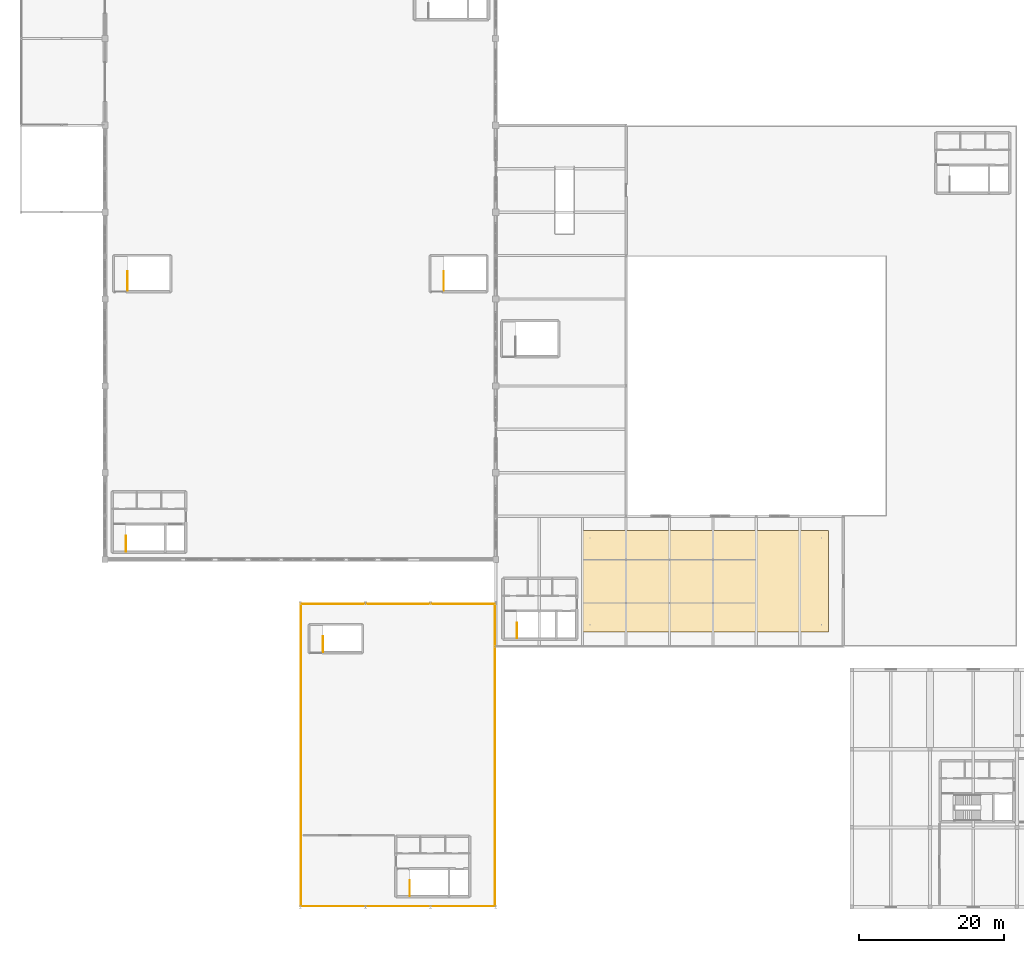
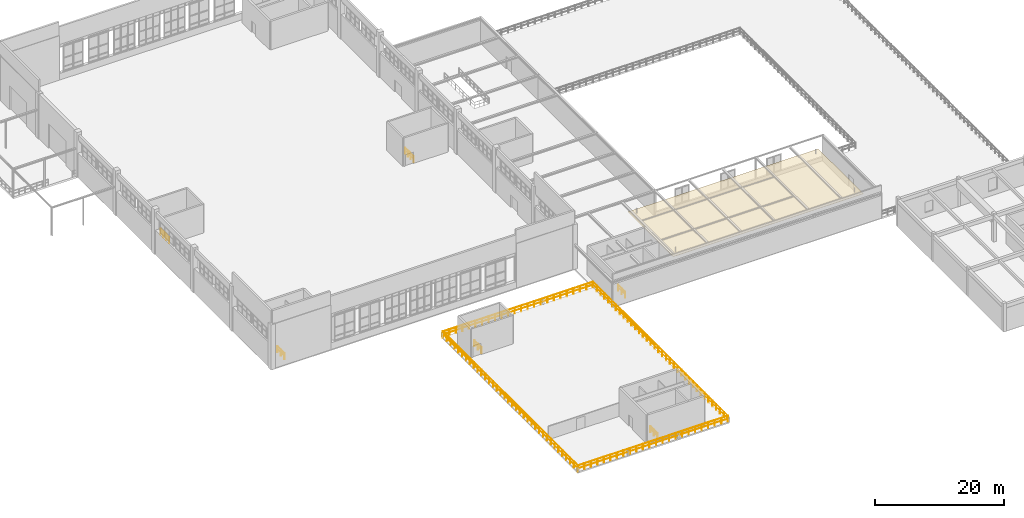
# One storey, part 92 of 97: 8 railings, 1 covering.
"""IFC4 building model written with IfcOpenShell, lengths in metres."""

import ifcopenshell
import ifcopenshell.guid

model = None  # the IFC model being written
_history = None  # IfcOwnerHistory: only IFC2X3 demands one
_inside = {}  # id of a spatial element -> (the spatial element, [elements in it])
_under = {}  # id of a project, library or spatial element -> (it, [spatial elements below it])
_declared = {}  # id of a project -> (the project, [libraries it declares])
_typed = {}  # id of a type object -> (the type object, [elements of that type])
_made_of = {}  # id of a material, layer set ... -> (it, [elements and type objects made of it])


def new_model(schema):
    """Start an empty IFC model of exactly this schema.

    Asked for "IFC4X3", IfcOpenShell would pick the latest addendum, in which some entities
    have other attributes; the version numbers below select the first issue.
    IFC2X3 requires an IfcOwnerHistory on every rooted entity: one is made here for all.
    """
    global model, _history
    if schema == "IFC4X3":
        model = ifcopenshell.file(schema_version=(4, 3, 0, 0))
    else:
        model = ifcopenshell.file(schema=schema)
    _inside.clear()
    _under.clear()
    _declared.clear()
    _typed.clear()
    _made_of.clear()
    _history = None
    if model.schema == "IFC2X3":
        org = make("IfcOrganization", Name="unknown")
        user = make(
            "IfcPersonAndOrganization",
            ThePerson=make("IfcPerson", FamilyName="unknown"),
            TheOrganization=org,
        )
        app = make(
            "IfcApplication",
            ApplicationDeveloper=org,
            Version="unknown",
            ApplicationFullName="unknown",
            ApplicationIdentifier="unknown",
        )
        _history = make(
            "IfcOwnerHistory",
            OwningUser=user,
            OwningApplication=app,
            ChangeAction="ADDED",
            CreationDate=0,
        )
    return model


def make(cls, **values):
    """One entity of the class cls with the attributes given. An attribute that is None is left unset."""
    return model.create_entity(
        cls, **{name: value for name, value in values.items() if value is not None}
    )


def rooted(cls, **values):
    """An entity with a GlobalId (a new one), such as an element, a storey or a relation."""
    return make(cls, GlobalId=ifcopenshell.guid.new(), OwnerHistory=_history, **values)


def si_unit(unit_type, name, prefix=None):
    """IfcSIUnit, for example si_unit("LENGTHUNIT", "METRE", prefix="MILLI")."""
    return make("IfcSIUnit", UnitType=unit_type, Prefix=prefix, Name=name)


def derived_unit(unit_type, elements):
    """IfcDerivedUnit: a product of units, each with its exponent."""
    return make(
        "IfcDerivedUnit",
        Elements=[
            make("IfcDerivedUnitElement", Unit=unit, Exponent=power)
            for unit, power in elements
        ],
        UnitType=unit_type,
    )


def assignment(units):
    """IfcUnitAssignment: the units of a project."""
    return None if units is None else make("IfcUnitAssignment", Units=units)


def point(xyz):
    """IfcCartesianPoint."""
    return None if xyz is None else make("IfcCartesianPoint", Coordinates=xyz)


def direction(xyz):
    """IfcDirection."""
    return None if xyz is None else make("IfcDirection", DirectionRatios=xyz)


def frame(location, z_axis=None, x_axis=None):
    """IfcAxis2Placement3D, a coordinate frame: its origin and axes. An axis left out is left unset."""
    return make(
        "IfcAxis2Placement3D",
        Location=point(location),
        Axis=direction(z_axis),
        RefDirection=direction(x_axis),
    )


def frame_2d(location, x_axis=None):
    """IfcAxis2Placement2D, a coordinate frame in the plane: its origin and x axis."""
    return make(
        "IfcAxis2Placement2D", Location=point(location), RefDirection=direction(x_axis)
    )


def origin():
    """The frame at (0, 0, 0) with its axes left unset."""
    return frame((0.0, 0.0, 0.0))


def origin_2d():
    """The frame at (0, 0) in the plane with its x axis left unset."""
    return frame_2d((0.0, 0.0))


def place(relative_to, where):
    """IfcLocalPlacement: puts the frame where relative to a parent placement (None: the world)."""
    return make(
        "IfcLocalPlacement", PlacementRelTo=relative_to, RelativePlacement=where
    )


def context(
    kind, dimensions, precision=None, world=None, true_north=None, identifier=None
):
    """IfcGeometricRepresentationContext, for example the 3D "Model" context."""
    return make(
        "IfcGeometricRepresentationContext",
        ContextIdentifier=identifier,
        ContextType=kind,
        CoordinateSpaceDimension=dimensions,
        Precision=precision,
        WorldCoordinateSystem=world,
        TrueNorth=true_north,
    )


def subcontext(parent, identifier, kind, view, scale=None):
    """IfcGeometricRepresentationSubContext, for example "Body" below "Model"."""
    return make(
        "IfcGeometricRepresentationSubContext",
        ContextIdentifier=identifier,
        ContextType=kind,
        ParentContext=parent,
        TargetScale=scale,
        TargetView=view,
    )


def project(units=None, contexts=None):
    """IfcProject with its units and contexts."""
    return rooted(
        "IfcProject",
        Name="project",
        RepresentationContexts=contexts,
        UnitsInContext=assignment(units),
    )


def spatial(cls, under=None, at=None, **own):
    """A site, building, storey or space (cls), placed at a placement, below another one or the project."""
    s = rooted(cls, ObjectPlacement=at, **own)
    if under is not None:
        _under.setdefault(under.id(), (under, []))[1].append(s)
    return s


def polyline(points):
    """IfcPolyline through the points."""
    return make("IfcPolyline", Points=[point(p) for p in points])


def profile(cls, at=None, kind="AREA", **sizes):
    """A parametric profile (cls). Its sizes go by their IFC names, for example OverallWidth=200.0."""
    return make(cls, ProfileType=kind, Position=at, **sizes)


def circle(**sizes):
    """IfcCircleProfileDef."""
    return profile("IfcCircleProfileDef", **sizes)


def outline(outer, holes=None, kind="AREA"):
    """IfcArbitraryClosedProfileDef: a profile drawn as a closed curve; with holes, ...WithVoids."""
    if holes is None:
        return make("IfcArbitraryClosedProfileDef", ProfileType=kind, OuterCurve=outer)
    return make(
        "IfcArbitraryProfileDefWithVoids",
        ProfileType=kind,
        OuterCurve=outer,
        InnerCurves=holes,
    )


def extrude(swept, where, along, depth):
    """IfcExtrudedAreaSolid: the profile swept, set in the frame where, extruded along a direction by depth."""
    return make(
        "IfcExtrudedAreaSolid",
        SweptArea=swept,
        Position=where,
        ExtrudedDirection=direction(along),
        Depth=depth,
    )


def shape(context_of_items, identifier, shape_type, items):
    """IfcShapeRepresentation: the items that make up one representation, for example the "Body"."""
    return make(
        "IfcShapeRepresentation",
        ContextOfItems=context_of_items,
        RepresentationIdentifier=identifier,
        RepresentationType=shape_type,
        Items=items,
    )


def material(Name=None, Category=None):
    """IfcMaterial."""
    return make("IfcMaterial", Name=Name, Category=Category)


def layer(
    of_material, thickness, ventilated=None, Name=None, Category=None, Priority=None
):
    """IfcMaterialLayer: one layer of a wall or slab, of a material (None: an air gap)."""
    return make(
        "IfcMaterialLayer",
        Material=of_material,
        LayerThickness=thickness,
        IsVentilated=ventilated,
        Name=Name,
        Category=Category,
        Priority=Priority,
    )


def layer_set(layers, Name=None):
    """IfcMaterialLayerSet."""
    return make("IfcMaterialLayerSet", MaterialLayers=layers, LayerSetName=Name)


def made_of(thing, what):
    """Note that an element or type object is made of a material, layer set ...; save() writes the relation."""
    if what is not None:
        _made_of.setdefault(what.id(), (what, []))[1].append(thing)
    return thing


def type_object(cls, material=None, **own):
    """A type object (cls), such as IfcWallType, which elements share."""
    return made_of(rooted(cls, **own), material)


def element(
    cls,
    number,
    at=None,
    inside=None,
    cuts=None,
    type_object=None,
    material=None,
    context=None,
    identifier="Body",
    shape_type=None,
    held_by="IfcProductDefinitionShape",
    body=None,
    shapes=None,
    **own,
):
    """One element of the class cls, such as IfcWall. Its Tag is "e" and its number.

    at: its placement. inside: the storey or other place that contains it. cuts: it is an
    opening in that element (IfcRelVoidsElement). A single representation is given by context,
    identifier, shape_type and body (its items); several are given by shapes. held_by: the class
    of the entity that holds the representations. save() writes the other relations.
    """
    e = rooted(cls, Tag="e%d" % number, ObjectPlacement=at, **own)
    if body is not None:
        shapes = [shape(context, identifier, shape_type, body)]
    if shapes is not None:
        e.Representation = make(held_by, Representations=shapes)
    if inside is not None:
        _inside.setdefault(inside.id(), (inside, []))[1].append(e)
    if cuts is not None:
        rooted(
            "IfcRelVoidsElement", RelatingBuildingElement=cuts, RelatedOpeningElement=e
        )
    if type_object is not None:
        _typed.setdefault(type_object.id(), (type_object, []))[1].append(e)
    return made_of(e, material)


def aggregate(whole, parts):
    """IfcRelAggregates: a whole, such as a stair, and the parts it consists of."""
    return rooted("IfcRelAggregates", RelatingObject=whole, RelatedObjects=parts)


def save(model, path):
    """Write the relations noted so far, then the file.

    IfcRelAggregates (storeys below a building ...), IfcRelContainedInSpatialStructure (elements
    in a storey), IfcRelDefinesByType, IfcRelAssociatesMaterial and IfcRelDeclares: one each for
    every whole, place, type object, material and project.
    """
    for whole, parts in _under.values():
        aggregate(whole, parts)
    for where, things in _inside.values():
        rooted(
            "IfcRelContainedInSpatialStructure",
            RelatedElements=things,
            RelatingStructure=where,
        )
    for kind, things in _typed.values():
        rooted("IfcRelDefinesByType", RelatedObjects=things, RelatingType=kind)
    for what, things in _made_of.values():
        rooted("IfcRelAssociatesMaterial", RelatedObjects=things, RelatingMaterial=what)
    for by, libraries in _declared.values():
        rooted("IfcRelDeclares", RelatingContext=by, RelatedDefinitions=libraries)
    model.write(path)


model = new_model("IFC4")

# Units and contexts
model_context = context("Model", 3, precision=1e-05, world=origin(), true_north=direction((0.0, 1.0)))
body_context = subcontext(model_context, "Body", "Model", "MODEL_VIEW")
ifc_project = project(units=[si_unit("LENGTHUNIT", "METRE"), si_unit("AREAUNIT", "SQUARE_METRE"), si_unit("VOLUMEUNIT", "CUBIC_METRE"), si_unit("PLANEANGLEUNIT", "RADIAN"), si_unit("MASSUNIT", "GRAM", prefix="KILO"), derived_unit("THERMALTRANSMITTANCEUNIT", [(si_unit("POWERUNIT", "WATT"), 1), (si_unit("LENGTHUNIT", "METRE"), -2), (si_unit("THERMODYNAMICTEMPERATUREUNIT", "KELVIN"), -1)])], contexts=[model_context])

# Site, building, storey
site_placement = place(None, origin())
site = spatial("IfcSite", under=ifc_project, at=site_placement, CompositionType="ELEMENT")
building_placement = place(site_placement, origin())
building = spatial("IfcBuilding", under=site, at=building_placement, Name="Almenara Railside Exhibition Hall", CompositionType="ELEMENT")
storey_placement = place(building_placement, frame((0.0, 0.0, 10.800048828125)))
storey = spatial("IfcBuildingStorey", under=building, at=storey_placement, Name="L02", CompositionType="ELEMENT", Elevation=10.800048828125)

# Covering
ifc_material_1 = material(Name="Perforated iroko acoustic timber ceiling", Category="wood")
ifc_layer = layer(ifc_material_1, 0.0400390625, Name="Perforated iroko acoustic timber ceiling")
ifc_layer_set = layer_set([ifc_layer], Name="Perforated iroko acoustic timber ceiling")
covering_type = type_object("IfcCoveringType", Name="Acoustic Slatted Timber Ceiling 40mm", PredefinedType="CEILING", material=ifc_layer_set)
covering_placement = place(storey_placement, frame((0.0, 0.0, 3.9599609375)))
element("IfcCovering", 1, at=covering_placement, inside=storey, type_object=covering_type, Name="Acoustic timber ceiling 007", PredefinedType="CEILING", context=body_context, shape_type="SweptSolid", body=[
    extrude(outline(polyline([(78.0, 38.0), (112.0, 38.0), (112.0, 52.0), (78.0, 52.0), (78.0, 38.0)])), origin(), (0.0, 0.0, 1.0), 0.0400390625),
])

# Railings
ifc_material_2 = material(Name="Bronze-capped laminated glass balustrade", Category="glass")
railing_type_1 = type_object("IfcRailingType", Name="Gallery Overlook Glazed Balustrade 1150mm", PredefinedType="BALUSTRADE", material=ifc_material_2)
railing_1_placement = place(storey_placement, frame((65.89990234375, 0.1201171875, 0.0)))
element("IfcRailing", 2, at=railing_1_placement, inside=storey, type_object=railing_type_1, Name="Guard balustrade 0016", PredefinedType="BALUSTRADE", context=body_context, shape_type="SweptSolid", body=[
    extrude(circle(Radius=0.02392578125, at=origin_2d()), frame((0.0, 0.0, 1.1259765625), z_axis=(-1.0, 0.0, 0.0), x_axis=(0.0, -1.0, 0.0)), (0.0, 0.0, 1.0), 26.81982421875),
    extrude(circle(Radius=0.01416015625, at=origin_2d()), frame((0.0, 0.0, 0.574951171875), z_axis=(-1.0, 0.0, 0.0), x_axis=(0.0, -1.0, 0.0)), (0.0, 0.0, 1.0), 26.81982421875),
    extrude(circle(Radius=0.02392578125, at=origin_2d()), frame((-26.81982421875, 0.0, 1.1259765625), z_axis=(0.0, 1.0, 0.0), x_axis=(-1.0, 0.0, 0.0)), (0.0, 0.0, 1.0), 41.73486328125),
    extrude(circle(Radius=0.01416015625, at=origin_2d()), frame((-26.81982421875, 0.0, 0.574951171875), z_axis=(0.0, 1.0, 0.0), x_axis=(-1.0, 0.0, 0.0)), (0.0, 0.0, 1.0), 41.73486328125),
    extrude(circle(Radius=0.02099609375, at=origin_2d()), origin(), (0.0, 0.0, 1.0), 1.101806640625),
    extrude(circle(Radius=0.02099609375, at=origin_2d()), frame((-1.166015625, 0.0, 0.0)), (0.0, 0.0, 1.0), 1.101806640625),
    extrude(circle(Radius=0.02099609375, at=origin_2d()), frame((-2.332275390625, 0.0, 0.0)), (0.0, 0.0, 1.0), 1.101806640625),
    extrude(circle(Radius=0.02099609375, at=origin_2d()), frame((-3.498291015625, 0.0, 0.0)), (0.0, 0.0, 1.0), 1.101806640625),
    extrude(circle(Radius=0.02099609375, at=origin_2d()), frame((-4.664306640625, 0.0, 0.0)), (0.0, 0.0, 1.0), 1.101806640625),
    extrude(circle(Radius=0.02099609375, at=origin_2d()), frame((-5.830322265625, 0.0, 0.0)), (0.0, 0.0, 1.0), 1.101806640625),
    extrude(circle(Radius=0.02099609375, at=origin_2d()), frame((-6.99658203125, 0.0, 0.0)), (0.0, 0.0, 1.0), 1.101806640625),
    extrude(circle(Radius=0.02099609375, at=origin_2d()), frame((-8.16259765625, 0.0, 0.0)), (0.0, 0.0, 1.0), 1.101806640625),
    extrude(circle(Radius=0.02099609375, at=origin_2d()), frame((-9.32861328125, 0.0, 0.0)), (0.0, 0.0, 1.0), 1.101806640625),
    extrude(circle(Radius=0.02099609375, at=origin_2d()), frame((-10.49462890625, 0.0, 0.0)), (0.0, 0.0, 1.0), 1.101806640625),
    extrude(circle(Radius=0.02099609375, at=origin_2d()), frame((-11.660888671875, 0.0, 0.0)), (0.0, 0.0, 1.0), 1.101806640625),
    extrude(circle(Radius=0.02099609375, at=origin_2d()), frame((-12.826904296875, 0.0, 0.0)), (0.0, 0.0, 1.0), 1.101806640625),
    extrude(circle(Radius=0.02099609375, at=origin_2d()), frame((-13.992919921875, 0.0, 0.0)), (0.0, 0.0, 1.0), 1.101806640625),
    extrude(circle(Radius=0.02099609375, at=origin_2d()), frame((-15.158935546875, 0.0, 0.0)), (0.0, 0.0, 1.0), 1.101806640625),
    extrude(circle(Radius=0.02099609375, at=origin_2d()), frame((-16.3251953125, 0.0, 0.0)), (0.0, 0.0, 1.0), 1.101806640625),
    extrude(circle(Radius=0.02099609375, at=origin_2d()), frame((-17.4912109375, 0.0, 0.0)), (0.0, 0.0, 1.0), 1.101806640625),
    extrude(circle(Radius=0.02099609375, at=origin_2d()), frame((-18.6572265625, 0.0, 0.0)), (0.0, 0.0, 1.0), 1.101806640625),
    extrude(circle(Radius=0.02099609375, at=origin_2d()), frame((-19.8232421875, 0.0, 0.0)), (0.0, 0.0, 1.0), 1.101806640625),
    extrude(circle(Radius=0.02099609375, at=origin_2d()), frame((-20.989501953125, 0.0, 0.0)), (0.0, 0.0, 1.0), 1.101806640625),
    extrude(circle(Radius=0.02099609375, at=origin_2d()), frame((-22.155517578125, 0.0, 0.0)), (0.0, 0.0, 1.0), 1.101806640625),
    extrude(circle(Radius=0.02099609375, at=origin_2d()), frame((-23.321533203125, 0.0, 0.0)), (0.0, 0.0, 1.0), 1.101806640625),
    extrude(circle(Radius=0.02099609375, at=origin_2d()), frame((-24.487548828125, 0.0, 0.0)), (0.0, 0.0, 1.0), 1.101806640625),
    extrude(circle(Radius=0.02099609375, at=origin_2d()), frame((-25.65380859375, 0.0, 0.0)), (0.0, 0.0, 1.0), 1.101806640625),
    extrude(circle(Radius=0.02099609375, at=origin_2d()), frame((-26.81982421875, 0.0, 0.0)), (0.0, 0.0, 1.0), 1.101806640625),
    extrude(circle(Radius=0.02099609375, at=origin_2d()), frame((-26.81982421875, 1.1923828125, 0.0)), (0.0, 0.0, 1.0), 1.101806640625),
    extrude(circle(Radius=0.02099609375, at=origin_2d()), frame((-26.81982421875, 2.384765625, 0.0)), (0.0, 0.0, 1.0), 1.101806640625),
    extrude(circle(Radius=0.02099609375, at=origin_2d()), frame((-26.81982421875, 3.577392578125, 0.0)), (0.0, 0.0, 1.0), 1.101806640625),
    extrude(circle(Radius=0.02099609375, at=origin_2d()), frame((-26.81982421875, 4.769775390625, 0.0)), (0.0, 0.0, 1.0), 1.101806640625),
    extrude(circle(Radius=0.02099609375, at=origin_2d()), frame((-26.81982421875, 5.962158203125, 0.0)), (0.0, 0.0, 1.0), 1.101806640625),
    extrude(circle(Radius=0.02099609375, at=origin_2d()), frame((-26.81982421875, 7.154541015625, 0.0)), (0.0, 0.0, 1.0), 1.101806640625),
    extrude(circle(Radius=0.02099609375, at=origin_2d()), frame((-26.81982421875, 8.346923828125, 0.0)), (0.0, 0.0, 1.0), 1.101806640625),
    extrude(circle(Radius=0.02099609375, at=origin_2d()), frame((-26.81982421875, 9.539306640625, 0.0)), (0.0, 0.0, 1.0), 1.101806640625),
    extrude(circle(Radius=0.02099609375, at=origin_2d()), frame((-26.81982421875, 10.73193359375, 0.0)), (0.0, 0.0, 1.0), 1.101806640625),
    extrude(circle(Radius=0.02099609375, at=origin_2d()), frame((-26.81982421875, 11.92431640625, 0.0)), (0.0, 0.0, 1.0), 1.101806640625),
    extrude(circle(Radius=0.02099609375, at=origin_2d()), frame((-26.81982421875, 13.11669921875, 0.0)), (0.0, 0.0, 1.0), 1.101806640625),
    extrude(circle(Radius=0.02099609375, at=origin_2d()), frame((-26.81982421875, 14.30908203125, 0.0)), (0.0, 0.0, 1.0), 1.101806640625),
    extrude(circle(Radius=0.02099609375, at=origin_2d()), frame((-26.81982421875, 15.50146484375, 0.0)), (0.0, 0.0, 1.0), 1.101806640625),
    extrude(circle(Radius=0.02099609375, at=origin_2d()), frame((-26.81982421875, 16.69384765625, 0.0)), (0.0, 0.0, 1.0), 1.101806640625),
    extrude(circle(Radius=0.02099609375, at=origin_2d()), frame((-26.81982421875, 17.886474609375, 0.0)), (0.0, 0.0, 1.0), 1.101806640625),
    extrude(circle(Radius=0.02099609375, at=origin_2d()), frame((-26.81982421875, 19.078857421875, 0.0)), (0.0, 0.0, 1.0), 1.101806640625),
    extrude(circle(Radius=0.02099609375, at=origin_2d()), frame((-26.81982421875, 20.271240234375, 0.0)), (0.0, 0.0, 1.0), 1.101806640625),
    extrude(circle(Radius=0.02099609375, at=origin_2d()), frame((-26.81982421875, 21.463623046875, 0.0)), (0.0, 0.0, 1.0), 1.101806640625),
    extrude(circle(Radius=0.02099609375, at=origin_2d()), frame((-26.81982421875, 22.656005859375, 0.0)), (0.0, 0.0, 1.0), 1.101806640625),
    extrude(circle(Radius=0.02099609375, at=origin_2d()), frame((-26.81982421875, 23.848388671875, 0.0)), (0.0, 0.0, 1.0), 1.101806640625),
    extrude(circle(Radius=0.02099609375, at=origin_2d()), frame((-26.81982421875, 25.041015625, 0.0)), (0.0, 0.0, 1.0), 1.101806640625),
    extrude(circle(Radius=0.02099609375, at=origin_2d()), frame((-26.81982421875, 26.2333984375, 0.0)), (0.0, 0.0, 1.0), 1.101806640625),
    extrude(circle(Radius=0.02099609375, at=origin_2d()), frame((-26.81982421875, 27.42578125, 0.0)), (0.0, 0.0, 1.0), 1.101806640625),
    extrude(circle(Radius=0.02099609375, at=origin_2d()), frame((-26.81982421875, 28.6181640625, 0.0)), (0.0, 0.0, 1.0), 1.101806640625),
    extrude(circle(Radius=0.02099609375, at=origin_2d()), frame((-26.81982421875, 29.810546875, 0.0)), (0.0, 0.0, 1.0), 1.101806640625),
    extrude(circle(Radius=0.02099609375, at=origin_2d()), frame((-26.81982421875, 31.0029296875, 0.0)), (0.0, 0.0, 1.0), 1.101806640625),
    extrude(circle(Radius=0.02099609375, at=origin_2d()), frame((-26.81982421875, 32.195556640625, 0.0)), (0.0, 0.0, 1.0), 1.101806640625),
    extrude(circle(Radius=0.02099609375, at=origin_2d()), frame((-26.81982421875, 33.387939453125, 0.0)), (0.0, 0.0, 1.0), 1.101806640625),
    extrude(circle(Radius=0.02099609375, at=origin_2d()), frame((-26.81982421875, 34.580322265625, 0.0)), (0.0, 0.0, 1.0), 1.101806640625),
    extrude(circle(Radius=0.02099609375, at=origin_2d()), frame((-26.81982421875, 35.772705078125, 0.0)), (0.0, 0.0, 1.0), 1.101806640625),
    extrude(circle(Radius=0.02099609375, at=origin_2d()), frame((-26.81982421875, 36.965087890625, 0.0)), (0.0, 0.0, 1.0), 1.101806640625),
    extrude(circle(Radius=0.02099609375, at=origin_2d()), frame((-26.81982421875, 38.157470703125, 0.0)), (0.0, 0.0, 1.0), 1.101806640625),
    extrude(circle(Radius=0.02099609375, at=origin_2d()), frame((-26.81982421875, 39.35009765625, 0.0)), (0.0, 0.0, 1.0), 1.101806640625),
    extrude(circle(Radius=0.02099609375, at=origin_2d()), frame((-26.81982421875, 40.54248046875, 0.0)), (0.0, 0.0, 1.0), 1.101806640625),
    extrude(circle(Radius=0.02099609375, at=origin_2d()), frame((-26.81982421875, 41.73486328125, 0.0)), (0.0, 0.0, 1.0), 1.101806640625),
])
railing_2_placement = place(storey_placement, frame((39.080078125, 41.8798828125, 0.0)))
element("IfcRailing", 3, at=railing_2_placement, inside=storey, type_object=railing_type_1, Name="Guard balustrade 0017", PredefinedType="BALUSTRADE", context=body_context, shape_type="SweptSolid", body=[
    extrude(circle(Radius=0.02392578125, at=origin_2d()), frame((0.0, 0.0, 1.1259765625), z_axis=(1.0, 0.0, 0.0), x_axis=(0.0, 1.0, 0.0)), (0.0, 0.0, 1.0), 26.81982421875),
    extrude(circle(Radius=0.01416015625, at=origin_2d()), frame((0.0, 0.0, 0.574951171875), z_axis=(1.0, 0.0, 0.0), x_axis=(0.0, 1.0, 0.0)), (0.0, 0.0, 1.0), 26.81982421875),
    extrude(circle(Radius=0.02392578125, at=origin_2d()), frame((26.81982421875, 0.0, 1.1259765625), z_axis=(0.0, -1.0, 0.0), x_axis=(1.0, 0.0, 0.0)), (0.0, 0.0, 1.0), 41.73486328125),
    extrude(circle(Radius=0.01416015625, at=origin_2d()), frame((26.81982421875, 0.0, 0.574951171875), z_axis=(0.0, -1.0, 0.0), x_axis=(1.0, 0.0, 0.0)), (0.0, 0.0, 1.0), 41.73486328125),
    extrude(circle(Radius=0.02099609375, at=origin_2d()), origin(), (0.0, 0.0, 1.0), 1.101806640625),
    extrude(circle(Radius=0.02099609375, at=origin_2d()), frame((1.166015625, 0.0, 0.0)), (0.0, 0.0, 1.0), 1.101806640625),
    extrude(circle(Radius=0.02099609375, at=origin_2d()), frame((2.332275390625, 0.0, 0.0)), (0.0, 0.0, 1.0), 1.101806640625),
    extrude(circle(Radius=0.02099609375, at=origin_2d()), frame((3.498291015625, 0.0, 0.0)), (0.0, 0.0, 1.0), 1.101806640625),
    extrude(circle(Radius=0.02099609375, at=origin_2d()), frame((4.664306640625, 0.0, 0.0)), (0.0, 0.0, 1.0), 1.101806640625),
    extrude(circle(Radius=0.02099609375, at=origin_2d()), frame((5.830322265625, 0.0, 0.0)), (0.0, 0.0, 1.0), 1.101806640625),
    extrude(circle(Radius=0.02099609375, at=origin_2d()), frame((6.99658203125, 0.0, 0.0)), (0.0, 0.0, 1.0), 1.101806640625),
    extrude(circle(Radius=0.02099609375, at=origin_2d()), frame((8.16259765625, 0.0, 0.0)), (0.0, 0.0, 1.0), 1.101806640625),
    extrude(circle(Radius=0.02099609375, at=origin_2d()), frame((9.32861328125, 0.0, 0.0)), (0.0, 0.0, 1.0), 1.101806640625),
    extrude(circle(Radius=0.02099609375, at=origin_2d()), frame((10.49462890625, 0.0, 0.0)), (0.0, 0.0, 1.0), 1.101806640625),
    extrude(circle(Radius=0.02099609375, at=origin_2d()), frame((11.660888671875, 0.0, 0.0)), (0.0, 0.0, 1.0), 1.101806640625),
    extrude(circle(Radius=0.02099609375, at=origin_2d()), frame((12.826904296875, 0.0, 0.0)), (0.0, 0.0, 1.0), 1.101806640625),
    extrude(circle(Radius=0.02099609375, at=origin_2d()), frame((13.992919921875, 0.0, 0.0)), (0.0, 0.0, 1.0), 1.101806640625),
    extrude(circle(Radius=0.02099609375, at=origin_2d()), frame((15.158935546875, 0.0, 0.0)), (0.0, 0.0, 1.0), 1.101806640625),
    extrude(circle(Radius=0.02099609375, at=origin_2d()), frame((16.3251953125, 0.0, 0.0)), (0.0, 0.0, 1.0), 1.101806640625),
    extrude(circle(Radius=0.02099609375, at=origin_2d()), frame((17.4912109375, 0.0, 0.0)), (0.0, 0.0, 1.0), 1.101806640625),
    extrude(circle(Radius=0.02099609375, at=origin_2d()), frame((18.6572265625, 0.0, 0.0)), (0.0, 0.0, 1.0), 1.101806640625),
    extrude(circle(Radius=0.02099609375, at=origin_2d()), frame((19.8232421875, 0.0, 0.0)), (0.0, 0.0, 1.0), 1.101806640625),
    extrude(circle(Radius=0.02099609375, at=origin_2d()), frame((20.989501953125, 0.0, 0.0)), (0.0, 0.0, 1.0), 1.101806640625),
    extrude(circle(Radius=0.02099609375, at=origin_2d()), frame((22.155517578125, 0.0, 0.0)), (0.0, 0.0, 1.0), 1.101806640625),
    extrude(circle(Radius=0.02099609375, at=origin_2d()), frame((23.321533203125, 0.0, 0.0)), (0.0, 0.0, 1.0), 1.101806640625),
    extrude(circle(Radius=0.02099609375, at=origin_2d()), frame((24.487548828125, 0.0, 0.0)), (0.0, 0.0, 1.0), 1.101806640625),
    extrude(circle(Radius=0.02099609375, at=origin_2d()), frame((25.65380859375, 0.0, 0.0)), (0.0, 0.0, 1.0), 1.101806640625),
    extrude(circle(Radius=0.02099609375, at=origin_2d()), frame((26.81982421875, 0.0, 0.0)), (0.0, 0.0, 1.0), 1.101806640625),
    extrude(circle(Radius=0.02099609375, at=origin_2d()), frame((26.81982421875, -1.1923828125, 0.0)), (0.0, 0.0, 1.0), 1.101806640625),
    extrude(circle(Radius=0.02099609375, at=origin_2d()), frame((26.81982421875, -2.384765625, 0.0)), (0.0, 0.0, 1.0), 1.101806640625),
    extrude(circle(Radius=0.02099609375, at=origin_2d()), frame((26.81982421875, -3.577392578125, 0.0)), (0.0, 0.0, 1.0), 1.101806640625),
    extrude(circle(Radius=0.02099609375, at=origin_2d()), frame((26.81982421875, -4.769775390625, 0.0)), (0.0, 0.0, 1.0), 1.101806640625),
    extrude(circle(Radius=0.02099609375, at=origin_2d()), frame((26.81982421875, -5.962158203125, 0.0)), (0.0, 0.0, 1.0), 1.101806640625),
    extrude(circle(Radius=0.02099609375, at=origin_2d()), frame((26.81982421875, -7.154541015625, 0.0)), (0.0, 0.0, 1.0), 1.101806640625),
    extrude(circle(Radius=0.02099609375, at=origin_2d()), frame((26.81982421875, -8.346923828125, 0.0)), (0.0, 0.0, 1.0), 1.101806640625),
    extrude(circle(Radius=0.02099609375, at=origin_2d()), frame((26.81982421875, -9.539306640625, 0.0)), (0.0, 0.0, 1.0), 1.101806640625),
    extrude(circle(Radius=0.02099609375, at=origin_2d()), frame((26.81982421875, -10.73193359375, 0.0)), (0.0, 0.0, 1.0), 1.101806640625),
    extrude(circle(Radius=0.02099609375, at=origin_2d()), frame((26.81982421875, -11.92431640625, 0.0)), (0.0, 0.0, 1.0), 1.101806640625),
    extrude(circle(Radius=0.02099609375, at=origin_2d()), frame((26.81982421875, -13.11669921875, 0.0)), (0.0, 0.0, 1.0), 1.101806640625),
    extrude(circle(Radius=0.02099609375, at=origin_2d()), frame((26.81982421875, -14.30908203125, 0.0)), (0.0, 0.0, 1.0), 1.101806640625),
    extrude(circle(Radius=0.02099609375, at=origin_2d()), frame((26.81982421875, -15.50146484375, 0.0)), (0.0, 0.0, 1.0), 1.101806640625),
    extrude(circle(Radius=0.02099609375, at=origin_2d()), frame((26.81982421875, -16.69384765625, 0.0)), (0.0, 0.0, 1.0), 1.101806640625),
    extrude(circle(Radius=0.02099609375, at=origin_2d()), frame((26.81982421875, -17.886474609375, 0.0)), (0.0, 0.0, 1.0), 1.101806640625),
    extrude(circle(Radius=0.02099609375, at=origin_2d()), frame((26.81982421875, -19.078857421875, 0.0)), (0.0, 0.0, 1.0), 1.101806640625),
    extrude(circle(Radius=0.02099609375, at=origin_2d()), frame((26.81982421875, -20.271240234375, 0.0)), (0.0, 0.0, 1.0), 1.101806640625),
    extrude(circle(Radius=0.02099609375, at=origin_2d()), frame((26.81982421875, -21.463623046875, 0.0)), (0.0, 0.0, 1.0), 1.101806640625),
    extrude(circle(Radius=0.02099609375, at=origin_2d()), frame((26.81982421875, -22.656005859375, 0.0)), (0.0, 0.0, 1.0), 1.101806640625),
    extrude(circle(Radius=0.02099609375, at=origin_2d()), frame((26.81982421875, -23.848388671875, 0.0)), (0.0, 0.0, 1.0), 1.101806640625),
    extrude(circle(Radius=0.02099609375, at=origin_2d()), frame((26.81982421875, -25.041015625, 0.0)), (0.0, 0.0, 1.0), 1.101806640625),
    extrude(circle(Radius=0.02099609375, at=origin_2d()), frame((26.81982421875, -26.2333984375, 0.0)), (0.0, 0.0, 1.0), 1.101806640625),
    extrude(circle(Radius=0.02099609375, at=origin_2d()), frame((26.81982421875, -27.42578125, 0.0)), (0.0, 0.0, 1.0), 1.101806640625),
    extrude(circle(Radius=0.02099609375, at=origin_2d()), frame((26.81982421875, -28.6181640625, 0.0)), (0.0, 0.0, 1.0), 1.101806640625),
    extrude(circle(Radius=0.02099609375, at=origin_2d()), frame((26.81982421875, -29.810546875, 0.0)), (0.0, 0.0, 1.0), 1.101806640625),
    extrude(circle(Radius=0.02099609375, at=origin_2d()), frame((26.81982421875, -31.0029296875, 0.0)), (0.0, 0.0, 1.0), 1.101806640625),
    extrude(circle(Radius=0.02099609375, at=origin_2d()), frame((26.81982421875, -32.195556640625, 0.0)), (0.0, 0.0, 1.0), 1.101806640625),
    extrude(circle(Radius=0.02099609375, at=origin_2d()), frame((26.81982421875, -33.387939453125, 0.0)), (0.0, 0.0, 1.0), 1.101806640625),
    extrude(circle(Radius=0.02099609375, at=origin_2d()), frame((26.81982421875, -34.580322265625, 0.0)), (0.0, 0.0, 1.0), 1.101806640625),
    extrude(circle(Radius=0.02099609375, at=origin_2d()), frame((26.81982421875, -35.772705078125, 0.0)), (0.0, 0.0, 1.0), 1.101806640625),
    extrude(circle(Radius=0.02099609375, at=origin_2d()), frame((26.81982421875, -36.965087890625, 0.0)), (0.0, 0.0, 1.0), 1.101806640625),
    extrude(circle(Radius=0.02099609375, at=origin_2d()), frame((26.81982421875, -38.157470703125, 0.0)), (0.0, 0.0, 1.0), 1.101806640625),
    extrude(circle(Radius=0.02099609375, at=origin_2d()), frame((26.81982421875, -39.35009765625, 0.0)), (0.0, 0.0, 1.0), 1.101806640625),
    extrude(circle(Radius=0.02099609375, at=origin_2d()), frame((26.81982421875, -40.54248046875, 0.0)), (0.0, 0.0, 1.0), 1.101806640625),
    extrude(circle(Radius=0.02099609375, at=origin_2d()), frame((26.81982421875, -41.73486328125, 0.0)), (0.0, 0.0, 1.0), 1.101806640625),
])
ifc_material_3 = material(Name="Dark wrought-iron stair balustrade")
railing_type_2 = type_object("IfcRailingType", Name="Stair Well Guard Rail 1120mm", PredefinedType="BALUSTRADE", material=ifc_material_3)
for number, where, name in (
    (4, (14.919921875, 49.139892578125, 0.0), "SG-L02-0008"),
    (5, (68.919921875, 37.139892578125, 0.0), "SG-L02-0028"),
):
    element("IfcRailing", number, at=place(storey_placement, frame(where)), inside=storey, type_object=railing_type_2, Name=name, PredefinedType="BALUSTRADE", context=body_context, shape_type="SweptSolid", body=[
        extrude(circle(Radius=0.02392578125, at=origin_2d()), frame((0.0, 0.0, 1.09619140625), z_axis=(0.0, 1.0, 0.0), x_axis=(-1.0, 0.0, 0.0)), (0.0, 0.0, 1.0), 2.130126953125),
        extrude(circle(Radius=0.01416015625, at=origin_2d()), frame((0.0, 0.0, 0.56005859375), z_axis=(0.0, 1.0, 0.0), x_axis=(-1.0, 0.0, 0.0)), (0.0, 0.0, 1.0), 2.130126953125),
        extrude(circle(Radius=0.02099609375, at=origin_2d()), origin(), (0.0, 0.0, 1.0), 1.072021484375),
        extrude(circle(Radius=0.02099609375, at=origin_2d()), frame((0.0, 1.06494140625, 0.0)), (0.0, 0.0, 1.0), 1.072021484375),
        extrude(circle(Radius=0.02099609375, at=origin_2d()), frame((0.0, 2.130126953125, 0.0)), (0.0, 0.0, 1.0), 1.072021484375),
    ])
railing_3_placement = place(storey_placement, frame((54.1201171875, 1.5400390625, 0.0)))
element("IfcRailing", 6, at=railing_3_placement, inside=storey, type_object=railing_type_2, Name="SG-L02-0068", PredefinedType="BALUSTRADE", context=body_context, shape_type="SweptSolid", body=[
    extrude(circle(Radius=0.02392578125, at=origin_2d()), frame((0.0, 0.0, 1.09619140625), z_axis=(0.0, 1.0, 0.0), x_axis=(-1.0, 0.0, 0.0)), (0.0, 0.0, 1.0), 2.1298828125),
    extrude(circle(Radius=0.01416015625, at=origin_2d()), frame((0.0, 0.0, 0.56005859375), z_axis=(0.0, 1.0, 0.0), x_axis=(-1.0, 0.0, 0.0)), (0.0, 0.0, 1.0), 2.1298828125),
    extrude(circle(Radius=0.02099609375, at=origin_2d()), origin(), (0.0, 0.0, 1.0), 1.072021484375),
    extrude(circle(Radius=0.02099609375, at=origin_2d()), frame((0.0, 1.06494140625, 0.0)), (0.0, 0.0, 1.0), 1.072021484375),
    extrude(circle(Radius=0.02099609375, at=origin_2d()), frame((0.0, 2.1298828125, 0.0)), (0.0, 0.0, 1.0), 1.072021484375),
])
for number, where, name in (
    (7, (15.1201171875, 85.139892578125, 0.0), "SG-L02-0092"),
    (8, (58.820068359375, 85.139892578125, 0.0), "SG-L02-0100"),
):
    element("IfcRailing", number, at=place(storey_placement, frame(where)), inside=storey, type_object=railing_type_2, Name=name, PredefinedType="BALUSTRADE", context=body_context, shape_type="SweptSolid", body=[
        extrude(circle(Radius=0.02392578125, at=origin_2d()), frame((0.0, 0.0, 1.09619140625), z_axis=(0.0, 1.0, 0.0), x_axis=(-1.0, 0.0, 0.0)), (0.0, 0.0, 1.0), 2.650146484375),
        extrude(circle(Radius=0.01416015625, at=origin_2d()), frame((0.0, 0.0, 0.56005859375), z_axis=(0.0, 1.0, 0.0), x_axis=(-1.0, 0.0, 0.0)), (0.0, 0.0, 1.0), 2.650146484375),
        extrude(circle(Radius=0.02099609375, at=origin_2d()), origin(), (0.0, 0.0, 1.0), 1.072021484375),
        extrude(circle(Radius=0.02099609375, at=origin_2d()), frame((0.0, 0.88330078125, 0.0)), (0.0, 0.0, 1.0), 1.072021484375),
        extrude(circle(Radius=0.02099609375, at=origin_2d()), frame((0.0, 1.766845703125, 0.0)), (0.0, 0.0, 1.0), 1.072021484375),
        extrude(circle(Radius=0.02099609375, at=origin_2d()), frame((0.0, 2.650146484375, 0.0)), (0.0, 0.0, 1.0), 1.072021484375),
    ])
railing_4_placement = place(storey_placement, frame((42.1201171875, 35.239990234375, 0.0)))
element("IfcRailing", 9, at=railing_4_placement, inside=storey, type_object=railing_type_2, Name="SG-L02-0132", PredefinedType="BALUSTRADE", context=body_context, shape_type="SweptSolid", body=[
    extrude(circle(Radius=0.02392578125, at=origin_2d()), frame((0.0, 0.0, 1.09619140625), z_axis=(0.0, 1.0, 0.0), x_axis=(-1.0, 0.0, 0.0)), (0.0, 0.0, 1.0), 2.179931640625),
    extrude(circle(Radius=0.01416015625, at=origin_2d()), frame((0.0, 0.0, 0.56005859375), z_axis=(0.0, 1.0, 0.0), x_axis=(-1.0, 0.0, 0.0)), (0.0, 0.0, 1.0), 2.179931640625),
    extrude(circle(Radius=0.02099609375, at=origin_2d()), origin(), (0.0, 0.0, 1.0), 1.072021484375),
    extrude(circle(Radius=0.02099609375, at=origin_2d()), frame((0.0, 1.08984375, 0.0)), (0.0, 0.0, 1.0), 1.072021484375),
    extrude(circle(Radius=0.02099609375, at=origin_2d()), frame((0.0, 2.179931640625, 0.0)), (0.0, 0.0, 1.0), 1.072021484375),
])

save(model, "model.ifc")
